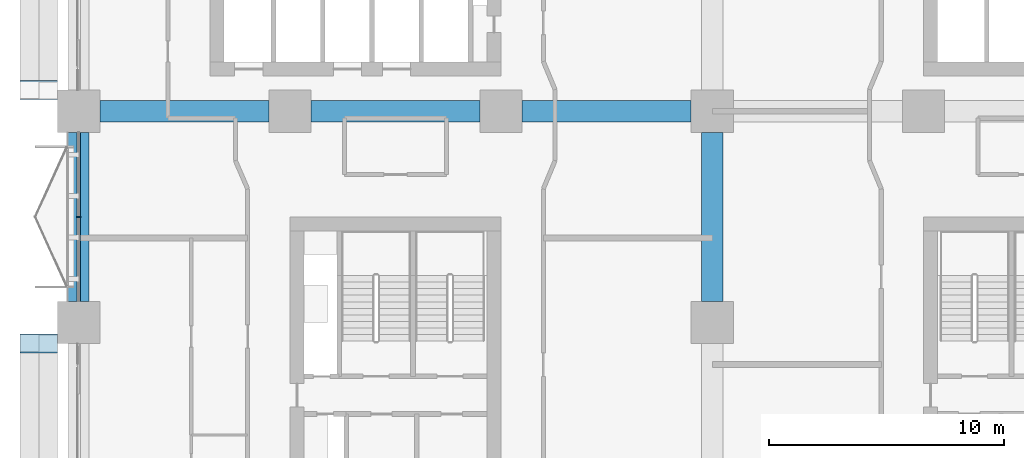
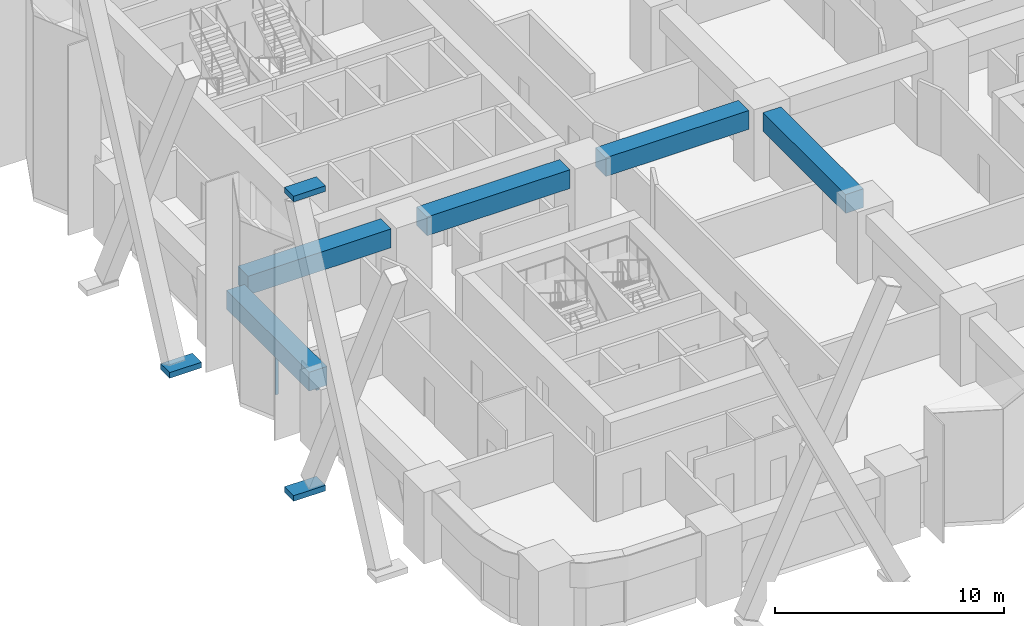
# One storey, part 4 of 26: 5 beams, 5 members, 1 element without a shape of its own.
"""IFC4 building model written with IfcOpenShell, lengths in metres."""

from ifc_helpers import new_model, si_unit, direction, frame, origin, origin_2d, place, context, subcontext, project, spatial, rectangle, extrude, material, layer, layer_set, material_profile, profile_set, type_object, element, aggregate, save


model = new_model("IFC4")

# Units and contexts
model_context = context("Model", 3, precision=1e-05, world=origin(), true_north=direction((0.0, 1.0)))
body_context = subcontext(model_context, "Body", "Model", "MODEL_VIEW")
ifc_project = project(units=[si_unit("LENGTHUNIT", "METRE"), si_unit("AREAUNIT", "SQUARE_METRE"), si_unit("VOLUMEUNIT", "CUBIC_METRE"), si_unit("PLANEANGLEUNIT", "RADIAN"), si_unit("MASSUNIT", "GRAM", prefix="KILO")], contexts=[model_context])

# Site, building, storey
site_placement = place(None, origin())
site = spatial("IfcSite", under=ifc_project, at=site_placement, CompositionType="ELEMENT")
building_placement = place(site_placement, origin())
building = spatial("IfcBuilding", under=site, at=building_placement, Name="Tessera Arch", CompositionType="ELEMENT")
storey_placement = place(building_placement, frame((0.0, 0.0, 31.0)))
storey = spatial("IfcBuildingStorey", under=building, at=storey_placement, Name="L05", CompositionType="ELEMENT", Elevation=31.0)

# Curtain wall, members
ifc_material_1 = material(Name="CW1 curtain wall")
curtain_wall_type = type_object("IfcCurtainWallType", Name="CW1 curtain wall", PredefinedType="NOTDEFINED", material=ifc_material_1)
curtain_wall_placement = place(storey_placement, origin())
curtain_wall = element("IfcCurtainWall", 1, at=curtain_wall_placement, inside=storey, type_object=curtain_wall_type, Name="CW1 curtain wall W0.0/3 L05", PredefinedType="NOTDEFINED")
ifc_material_2 = material(Name="Anodised aluminium pale metal", Category="aluminium")
ifc_material_profile_1 = material_profile(ifc_material_2, rectangle(XDim=0.159912109375, YDim=0.06005859375, at=origin_2d()), Name="AL 60x160")
ifc_profile_set_1 = profile_set([ifc_material_profile_1], Name="Anodised aluminium pale metal")
member_type_1 = type_object("IfcMemberType", Name="CW1 mullion", PredefinedType="MULLION", material=ifc_profile_set_1)
member_1_placement = place(storey_placement, frame((0.0, 22.5, 0.0), z_axis=(0.0, 0.0, 1.0), x_axis=(1.0, 0.0, 0.0)))
member_1 = element("IfcMember", 2, at=member_1_placement, type_object=member_type_1, Name="CW1 mullion W0.0/3 1", PredefinedType="MULLION", context=body_context, shape_type="SweptSolid", body=[
    extrude(rectangle(XDim=0.159912109375, YDim=0.06005859375, at=origin_2d()), origin(), (0.0, 0.0, 1.0), 2.39990234375),
])
ifc_material_3 = material(Name="Anodised aluminium pale metal", Category="aluminium")
ifc_material_profile_2 = material_profile(ifc_material_3, rectangle(XDim=0.159912109375, YDim=0.10009765625, at=origin_2d()), Name="AL 160x100")
ifc_profile_set_2 = profile_set([ifc_material_profile_2], Name="Anodised aluminium pale metal")
member_type_2 = type_object("IfcMemberType", Name="CW1 transom", PredefinedType="USERDEFINED", material=ifc_profile_set_2)
member_2_placement = place(storey_placement, frame((0.0, 26.10009765625, 2.449951171875), z_axis=(0.0, -1.0, 0.0), x_axis=(1.0, 0.0, 0.0)))
member_2 = element("IfcMember", 3, at=member_2_placement, type_object=member_type_2, Name="CW1 transom W0.0/3 1.1", ObjectType="TRANSOM", PredefinedType="USERDEFINED", context=body_context, shape_type="SweptSolid", body=[
    extrude(rectangle(XDim=0.159912109375, YDim=0.10009765625, at=origin_2d()), origin(), (0.0, 0.0, 1.0), 7.2001953125),
])
aggregate(curtain_wall, [member_1, member_2])

# Members
ifc_material_4 = material(Name="Steel A572 Gr50", Category="steel")
ifc_layer = layer(ifc_material_4, 0.050048828125)
ifc_layer_set = layer_set([ifc_layer], Name="Node block Steel A572 Gr50")
member_type_3 = type_object("IfcMemberType", Name="Node block Steel A572 Gr50", PredefinedType="PLATE", material=ifc_layer_set)
for number, where, z_axis, x_axis, name in (
    (4, (-1.699951171875, 27.89990234375, -1.31640625), (0.0, 0.0, 1.0), (0.0, -1.0, 0.0), "Node block seat W0.0-2 1 L05"),
    (5, (-1.699951171875, 17.10009765625, -1.31640625), (0.0, 0.0, 1.0), (0.0, -1.0, 0.0), "Node block seat W0.0-4 2 L05"),
    (6, (-1.699951171875, 17.10009765625, 14.6162109375), (0.0, 0.0, 1.0), (0.0, -1.0, 0.0), "Node block head W0.0-4 B L05"),
):
    element("IfcMember", number, at=place(storey_placement, frame(where, z_axis=z_axis, x_axis=x_axis)), inside=storey, type_object=member_type_3, Name=name, PredefinedType="PLATE", context=body_context, shape_type="SweptSolid", body=[
        extrude(rectangle(XDim=0.800048828125, YDim=1.60009765625, at=origin_2d()), origin(), (0.0, 0.0, 1.0), 0.300048828125),
    ])

# Beams
ifc_material_5 = material(Name="Concrete C80/95", Category="concrete")
ifc_material_profile_3 = material_profile(ifc_material_5, rectangle(XDim=0.89990234375, YDim=1.0, at=origin_2d()), Name="RC spandrel beam 900 x 1000 Concrete C80/95")
ifc_profile_set_3 = profile_set([ifc_material_profile_3], Name="Concrete C80/95")
beam_type = type_object("IfcBeamType", Name="RC spandrel beam 900 x 1000 Concrete C80/95", PredefinedType="BEAM", material=ifc_profile_set_3)
for number, where, z_axis, x_axis, name in (
    (7, (0.0, 26.10009765625, 3.0), (0.0, -1.0, 0.0), (1.0, 0.0, 0.0), "Spandrel beam L05 W0.0/3"),
    (8, (27.0, 18.89990234375, 3.0), (0.0, 1.0, 0.0), (-1.0, 0.0, 0.0), "Interface beam L05 I0C4C-C4D"),
    (9, (0.89990234375, 27.0, 3.0), (1.0, 0.0, 0.0), (0.0, 1.0, 0.0), "Interface beam L05 I1C1D-C2D"),
    (10, (9.89990234375, 27.0, 3.0), (1.0, 0.0, 0.0), (0.0, 1.0, 0.0), "Interface beam L05 I1C2D-C3D"),
    (11, (18.89990234375, 27.0, 3.0), (1.0, 0.0, 0.0), (0.0, 1.0, 0.0), "Interface beam L05 I1C3D-C4D"),
):
    element("IfcBeam", number, at=place(storey_placement, frame(where, z_axis=z_axis, x_axis=x_axis)), inside=storey, type_object=beam_type, Name=name, PredefinedType="BEAM", context=body_context, shape_type="SweptSolid", body=[
        extrude(rectangle(XDim=0.89990234375, YDim=1.0, at=origin_2d()), origin(), (0.0, 0.0, 1.0), 7.2001953125),
    ])

save(model, "model.ifc")
